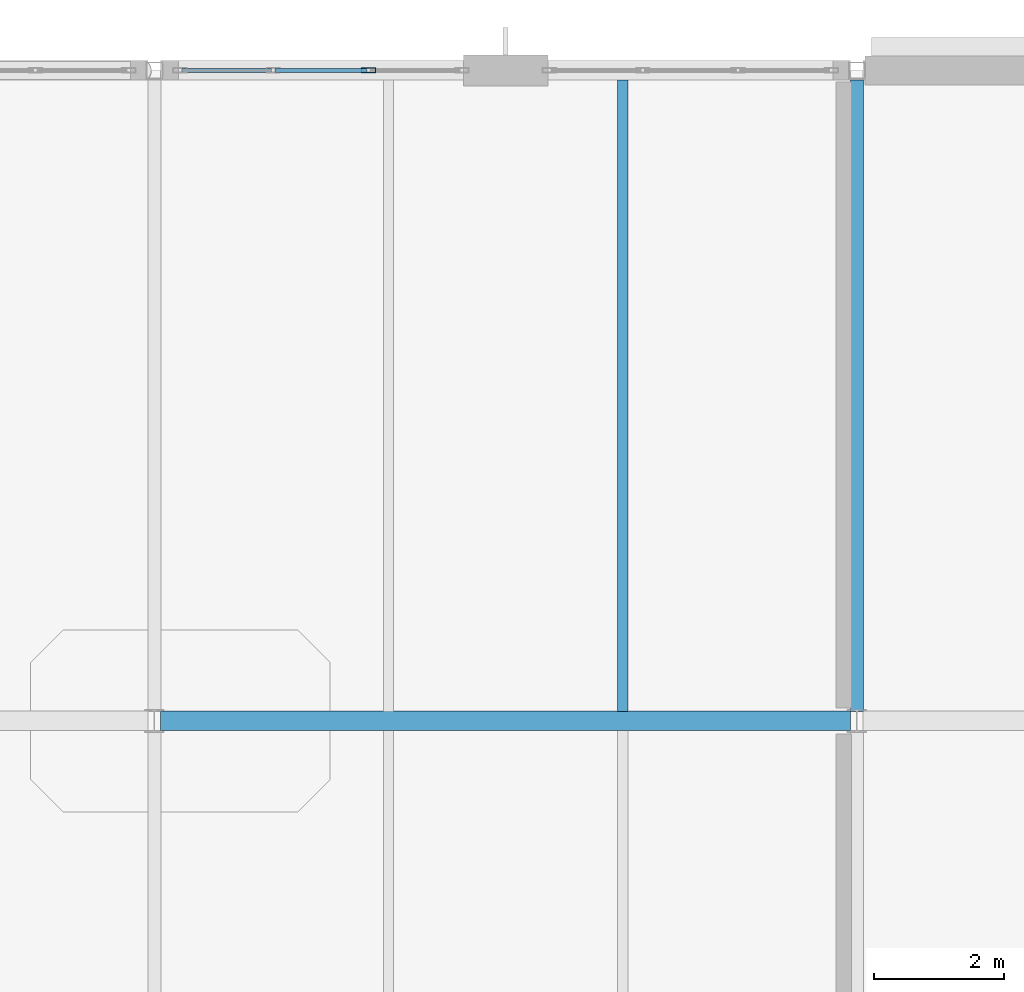
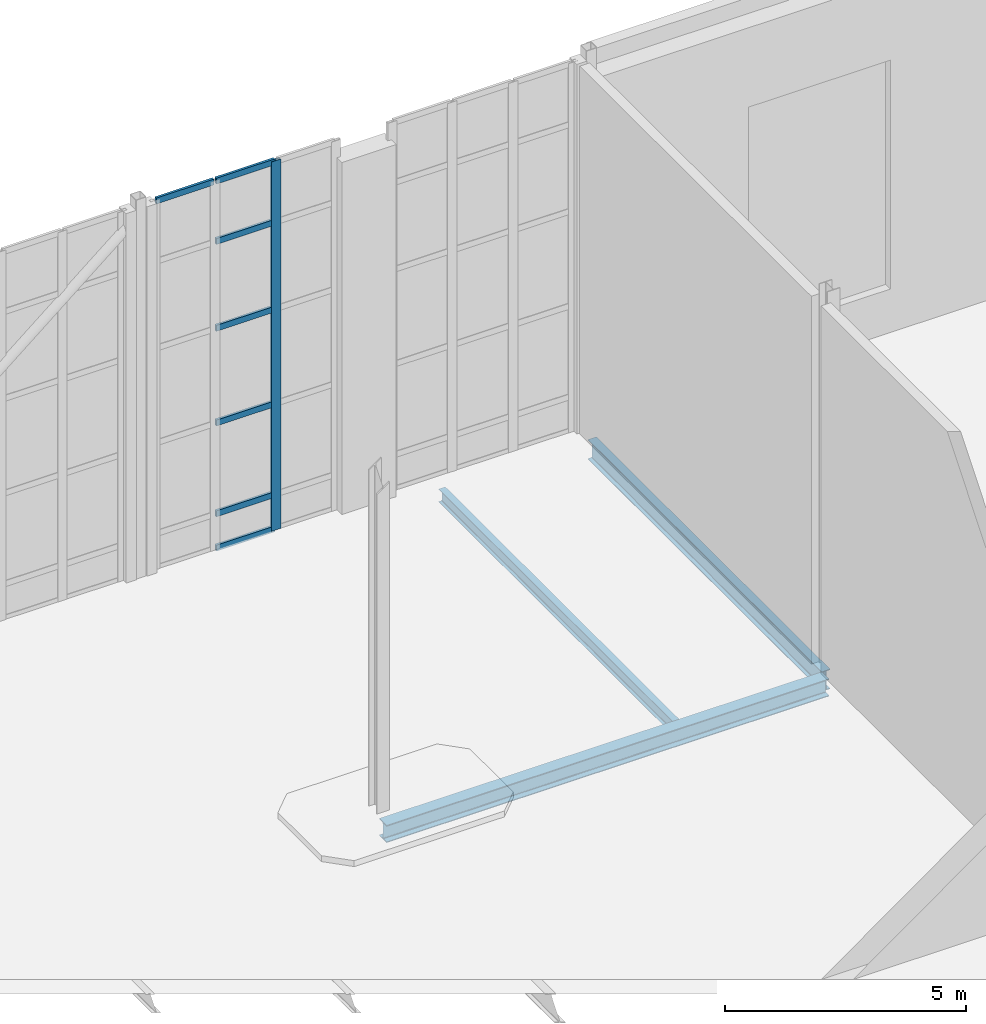
# One storey, part 55 of 100: 8 members, 3 beams, 1 element without a shape of its own.
"""IFC4 building model written with IfcOpenShell, lengths in metres."""

from ifc_helpers import new_model, si_unit, direction, frame, origin, origin_2d, place, context, subcontext, project, spatial, hollow_rectangle, i_section, extrude, material, layer, layer_set, material_profile, profile_set, type_object, element, aggregate, save


model = new_model("IFC4")

# Units and contexts
model_context = context("Model", 3, precision=1e-05, world=origin(), true_north=direction((0.0, 1.0)))
body_context = subcontext(model_context, "Body", "Model", "MODEL_VIEW")
ifc_project = project(units=[si_unit("LENGTHUNIT", "METRE"), si_unit("AREAUNIT", "SQUARE_METRE"), si_unit("VOLUMEUNIT", "CUBIC_METRE"), si_unit("PLANEANGLEUNIT", "RADIAN"), si_unit("MASSUNIT", "GRAM", prefix="KILO")], contexts=[model_context])

# Site, building, storey
site_placement = place(None, origin())
site = spatial("IfcSite", under=ifc_project, at=site_placement, CompositionType="ELEMENT")
building_placement = place(site_placement, origin())
building = spatial("IfcBuilding", under=site, at=building_placement, Name="Tasgan Crest Museum", CompositionType="ELEMENT")
storey_placement = place(building_placement, frame((0.0, 0.0, 14.39990234375)))
storey = spatial("IfcBuildingStorey", under=building, at=storey_placement, Name="L03", CompositionType="ELEMENT", Elevation=14.39990234375)

# Beams
ifc_material_1 = material(Name="Steel S355J2", Category="steel")
ifc_material_profile_1 = material_profile(ifc_material_1, i_section(OverallWidth=0.300048828125, OverallDepth=0.43994140625, WebThickness=0.011474609375, FlangeThickness=0.02099609375, FilletRadius=0.027099609375, at=origin_2d()), Name="HEA 450")
ifc_profile_set_1 = profile_set([ifc_material_profile_1], Name="Steel S355J2")
beam_type_1 = type_object("IfcBeamType", Name="BM-G-HEA450", PredefinedType="BEAM", material=ifc_profile_set_1)
beam_1_placement = place(storey_placement, frame((75.696044921875, 102.0, -0.4599609375), z_axis=(1.0, 0.0, 0.0), x_axis=(0.0, 1.0, 0.0)))
element("IfcBeam", 1, at=beam_1_placement, inside=storey, type_object=beam_type_1, Name="Girder L03 L 75.6-86.4", PredefinedType="BEAM", context=body_context, shape_type="SweptSolid", body=[
    extrude(i_section(OverallWidth=0.300048828125, OverallDepth=0.43994140625, WebThickness=0.011474609375, FlangeThickness=0.02099609375, FilletRadius=0.027099609375, at=origin_2d()), origin(), (0.0, 0.0, 1.0), 10.60791015625),
])
ifc_material_2 = material(Name="Steel S355J2", Category="steel")
ifc_material_profile_2 = material_profile(ifc_material_2, i_section(OverallWidth=0.199951171875, OverallDepth=0.5, WebThickness=0.01025390625, FlangeThickness=0.01611328125, FilletRadius=0.02099609375, at=origin_2d()), Name="IPE 500")
ifc_profile_set_2 = profile_set([ifc_material_profile_2], Name="Steel S355J2")
beam_type_2 = type_object("IfcBeamType", Name="BM-G-IPE500", PredefinedType="BEAM", material=ifc_profile_set_2)
beam_2_placement = place(storey_placement, frame((86.39990234375, 102.14501953125, -0.489990234375), z_axis=(0.0, 1.0, 0.0), x_axis=(-1.0, 0.0, 0.0)))
element("IfcBeam", 2, at=beam_2_placement, inside=storey, type_object=beam_type_2, Name="Beam L03 9 102.0-112.0", PredefinedType="BEAM", context=body_context, shape_type="SweptSolid", body=[
    extrude(i_section(OverallWidth=0.199951171875, OverallDepth=0.5, WebThickness=0.01025390625, FlangeThickness=0.01611328125, FilletRadius=0.02099609375, at=origin_2d()), origin(), (0.0, 0.0, 1.0), 9.7099609375),
])
ifc_material_3 = material(Name="Steel S355J2", Category="steel")
ifc_material_profile_3 = material_profile(ifc_material_3, i_section(OverallWidth=0.159912109375, OverallDepth=0.330078125, WebThickness=0.007568359375, FlangeThickness=0.011474609375, FilletRadius=0.01806640625, at=origin_2d()), Name="IPE 330")
ifc_profile_set_3 = profile_set([ifc_material_profile_3], Name="Steel S355J2")
beam_type_3 = type_object("IfcBeamType", Name="BM-J-IPE330", PredefinedType="JOIST", material=ifc_profile_set_3)
beam_3_placement = place(storey_placement, frame((82.800048828125, 102.14501953125, -0.40478515625), z_axis=(0.0, 1.0, 0.0), x_axis=(-1.0, 0.0, 0.0)))
element("IfcBeam", 3, at=beam_3_placement, inside=storey, type_object=beam_type_3, Name="Secondary joist L03 X=82.8 Y=102.0-112.0", PredefinedType="JOIST", context=body_context, shape_type="SweptSolid", body=[
    extrude(i_section(OverallWidth=0.159912109375, OverallDepth=0.330078125, WebThickness=0.007568359375, FlangeThickness=0.011474609375, FilletRadius=0.01806640625, at=origin_2d()), origin(), (0.0, 0.0, 1.0), 9.7099609375),
])

# Curtain wall, members
ifc_material_4 = material(Name="Triple-Glazed Aluminium Curtain Wall", Category="aluminium")
ifc_layer = layer(ifc_material_4, 0.179931640625, Name="CW-GAL-X-96")
ifc_layer_set = layer_set([ifc_layer], Name="Triple-Glazed Aluminium Curtain Wall")
curtain_wall_type = type_object("IfcCurtainWallType", Name="CW-GAL-X-96", PredefinedType="NOTDEFINED", material=ifc_layer_set)
curtain_wall_placement = place(storey_placement, origin())
curtain_wall = element("IfcCurtainWall", 4, at=curtain_wall_placement, inside=storey, type_object=curtain_wall_type, Name="Curtain wall L03 126", PredefinedType="NOTDEFINED")
ifc_material_5 = material(Name="Anodised Aluminium", Category="aluminium")
ifc_material_profile_4 = material_profile(ifc_material_5, hollow_rectangle(XDim=0.074951171875, YDim=0.219970703125, WallThickness=0.006103515625, at=origin_2d()), Name="ALU MULLION 220x75x6")
ifc_profile_set_4 = profile_set([ifc_material_profile_4], Name="Anodised Aluminium")
member_type_1 = type_object("IfcMemberType", Name="CW-MULLION-220", PredefinedType="MULLION", material=ifc_profile_set_4)
member_1_placement = place(storey_placement, frame((78.8916015625, 112.0, 0.0), z_axis=(0.0, 0.0, 1.0), x_axis=(0.0, -1.0, 0.0)))
member_1 = element("IfcMember", 5, at=member_1_placement, type_object=member_type_1, Name="CW14 mullion 2", PredefinedType="MULLION", context=body_context, shape_type="SweptSolid", body=[
    extrude(hollow_rectangle(XDim=0.074951171875, YDim=0.219970703125, WallThickness=0.006103515625, at=origin_2d()), origin(), (0.0, 0.0, 1.0), 9.360107421875),
])
ifc_material_6 = material(Name="Anodised Aluminium", Category="aluminium")
ifc_material_profile_5 = material_profile(ifc_material_6, hollow_rectangle(XDim=0.06005859375, YDim=0.14990234375, WallThickness=0.0048828125, at=origin_2d()), Name="ALU TRANSOM 150x60x5")
ifc_profile_set_5 = profile_set([ifc_material_profile_5], Name="Anodised Aluminium")
member_type_2 = type_object("IfcMemberType", Name="CW-TRANSOM-150", PredefinedType="USERDEFINED", material=ifc_profile_set_5)
member_2_placement = place(storey_placement, frame((78.861572265625, 112.0, 0.030029296875), z_axis=(-1.0, 0.0, 0.0), x_axis=(0.0, -1.0, 0.0)))
member_2 = element("IfcMember", 6, at=member_2_placement, type_object=member_type_2, Name="CW14 transom 2.1", ObjectType="TRANSOM", PredefinedType="USERDEFINED", context=body_context, shape_type="SweptSolid", body=[
    extrude(hollow_rectangle(XDim=0.06005859375, YDim=0.14990234375, WallThickness=0.0048828125, at=origin_2d()), origin(), (0.0, 0.0, 1.0), 1.4033203125),
])
member_3_placement = place(storey_placement, frame((78.861572265625, 112.0, 0.900146484375), z_axis=(-1.0, 0.0, 0.0), x_axis=(0.0, -1.0, 0.0)))
member_3 = element("IfcMember", 7, at=member_3_placement, type_object=member_type_2, Name="CW14 transom 2.2", ObjectType="TRANSOM", PredefinedType="USERDEFINED", context=body_context, shape_type="SweptSolid", body=[
    extrude(hollow_rectangle(XDim=0.06005859375, YDim=0.14990234375, WallThickness=0.0048828125, at=origin_2d()), origin(), (0.0, 0.0, 1.0), 1.4033203125),
])
member_4_placement = place(storey_placement, frame((78.861572265625, 112.0, 3.2001953125), z_axis=(-1.0, 0.0, 0.0), x_axis=(0.0, -1.0, 0.0)))
member_4 = element("IfcMember", 8, at=member_4_placement, type_object=member_type_2, Name="CW14 transom 2.3", ObjectType="TRANSOM", PredefinedType="USERDEFINED", context=body_context, shape_type="SweptSolid", body=[
    extrude(hollow_rectangle(XDim=0.06005859375, YDim=0.14990234375, WallThickness=0.0048828125, at=origin_2d()), origin(), (0.0, 0.0, 1.0), 1.4033203125),
])
member_5_placement = place(storey_placement, frame((78.861572265625, 112.0, 5.60009765625), z_axis=(-1.0, 0.0, 0.0), x_axis=(0.0, -1.0, 0.0)))
member_5 = element("IfcMember", 9, at=member_5_placement, type_object=member_type_2, Name="CW14 transom 2.4", ObjectType="TRANSOM", PredefinedType="USERDEFINED", context=body_context, shape_type="SweptSolid", body=[
    extrude(hollow_rectangle(XDim=0.06005859375, YDim=0.14990234375, WallThickness=0.0048828125, at=origin_2d()), origin(), (0.0, 0.0, 1.0), 1.4033203125),
])
member_6_placement = place(storey_placement, frame((78.861572265625, 112.0, 7.800048828125), z_axis=(-1.0, 0.0, 0.0), x_axis=(0.0, -1.0, 0.0)))
member_6 = element("IfcMember", 10, at=member_6_placement, type_object=member_type_2, Name="CW14 transom 2.5", ObjectType="TRANSOM", PredefinedType="USERDEFINED", context=body_context, shape_type="SweptSolid", body=[
    extrude(hollow_rectangle(XDim=0.06005859375, YDim=0.14990234375, WallThickness=0.0048828125, at=origin_2d()), origin(), (0.0, 0.0, 1.0), 1.4033203125),
])
member_7_placement = place(storey_placement, frame((78.861572265625, 112.0, 9.330078125), z_axis=(-1.0, 0.0, 0.0), x_axis=(0.0, -1.0, 0.0)))
member_7 = element("IfcMember", 11, at=member_7_placement, type_object=member_type_2, Name="CW14 transom 2.6", ObjectType="TRANSOM", PredefinedType="USERDEFINED", context=body_context, shape_type="SweptSolid", body=[
    extrude(hollow_rectangle(XDim=0.06005859375, YDim=0.14990234375, WallThickness=0.0048828125, at=origin_2d()), origin(), (0.0, 0.0, 1.0), 1.4033203125),
])
member_8_placement = place(storey_placement, frame((77.3984375, 112.0, 9.330078125), z_axis=(-1.0, 0.0, 0.0), x_axis=(0.0, -1.0, 0.0)))
member_8 = element("IfcMember", 12, at=member_8_placement, type_object=member_type_2, Name="CW14 transom 3.6", ObjectType="TRANSOM", PredefinedType="USERDEFINED", context=body_context, shape_type="SweptSolid", body=[
    extrude(hollow_rectangle(XDim=0.06005859375, YDim=0.14990234375, WallThickness=0.0048828125, at=origin_2d()), origin(), (0.0, 0.0, 1.0), 1.37353515625),
])
aggregate(curtain_wall, [member_1, member_2, member_3, member_4, member_5, member_6, member_7, member_8])

save(model, "model.ifc")
